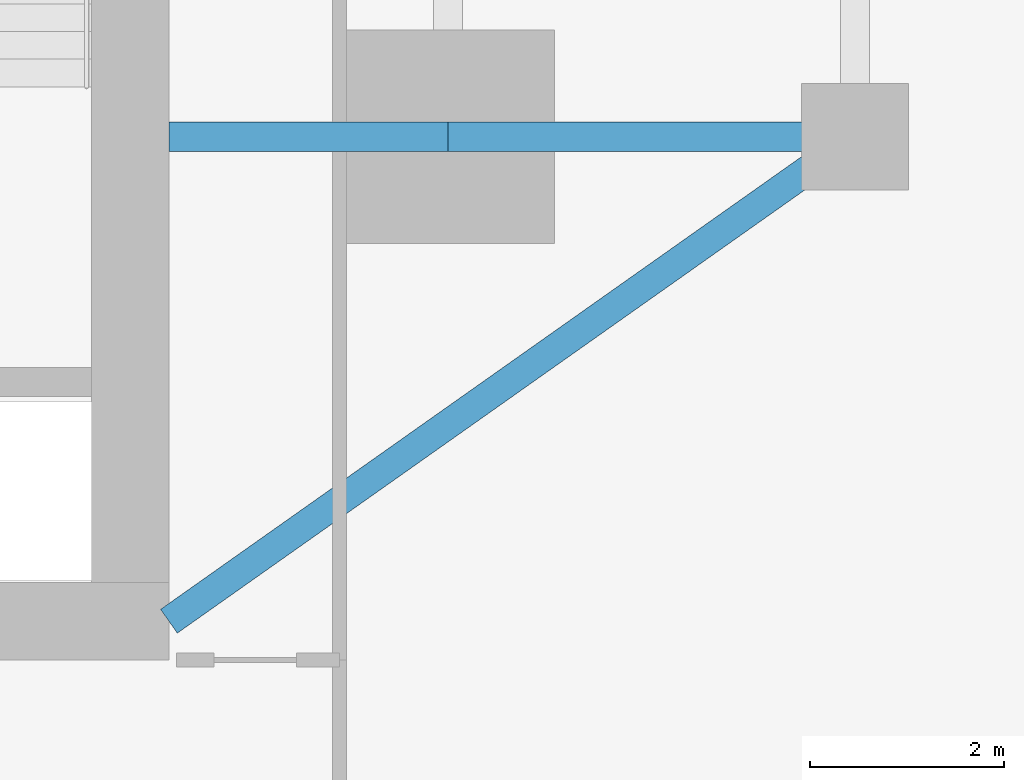
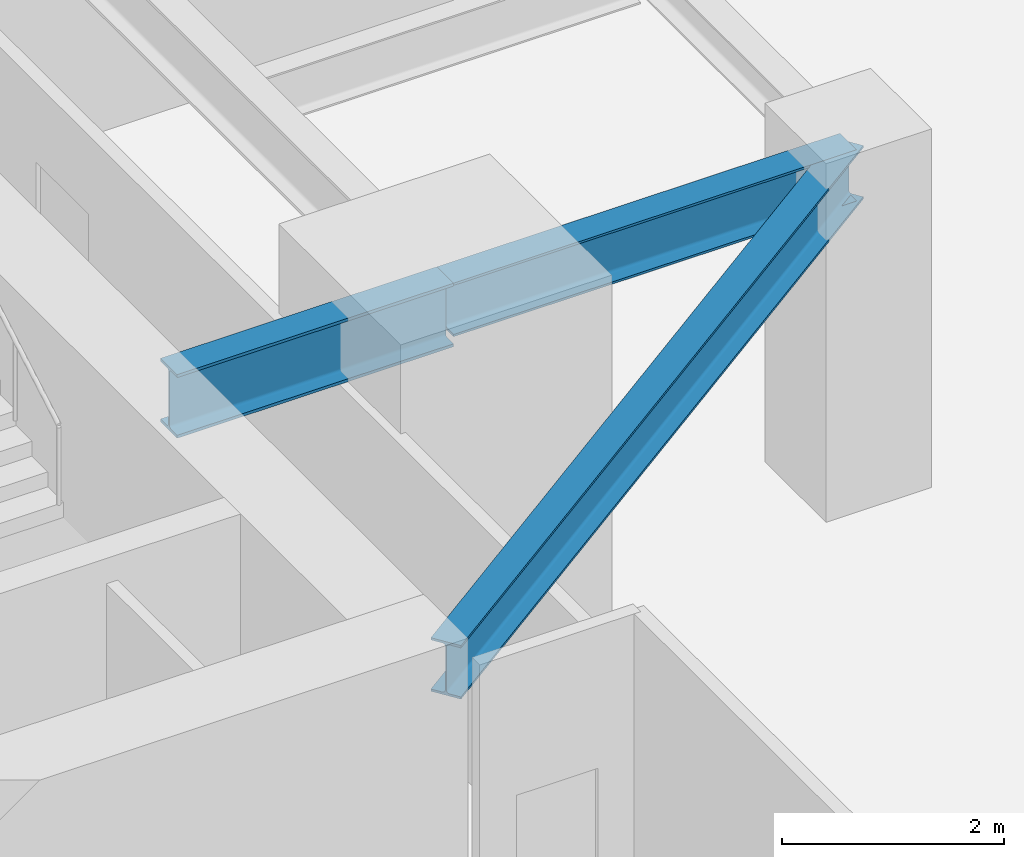
# One storey, part 11 of 28: 3 beams.
"""IFC4 building model written with IfcOpenShell, lengths in metres."""

from ifc_helpers import new_model, si_unit, direction, frame, origin, origin_2d, place, context, subcontext, project, spatial, i_section, extrude, source, transform, mapped, material, material_profile, profile_set, type_object, type_shapes, element, save


model = new_model("IFC4")

# Units and contexts
model_context = context("Model", 3, precision=1e-05, world=origin(), true_north=direction((0.0, 1.0)))
body_context = subcontext(model_context, "Body", "Model", "MODEL_VIEW")
ifc_project = project(units=[si_unit("LENGTHUNIT", "METRE"), si_unit("AREAUNIT", "SQUARE_METRE"), si_unit("VOLUMEUNIT", "CUBIC_METRE"), si_unit("PLANEANGLEUNIT", "RADIAN"), si_unit("MASSUNIT", "GRAM", prefix="KILO")], contexts=[model_context])

# Site, building, storey
site_placement = place(None, origin())
site = spatial("IfcSite", under=ifc_project, at=site_placement, CompositionType="ELEMENT")
building_placement = place(site_placement, origin())
building = spatial("IfcBuilding", under=site, at=building_placement, Name="Krantzveldt Concourse Tower", CompositionType="ELEMENT")
storey_placement = place(building_placement, frame((0.0, 0.0, 28.949951171875)))
storey = spatial("IfcBuildingStorey", under=building, at=storey_placement, Name="L06", CompositionType="ELEMENT", Elevation=28.949951171875)

# Beams
ifc_material_1 = material(Name="Steel S355J2", Category="steel")
ifc_material_profile_1 = material_profile(ifc_material_1, i_section(OverallWidth=0.300048828125, OverallDepth=0.699951171875, WebThickness=0.01708984375, FlangeThickness=0.031982421875, FilletRadius=0.027099609375, at=origin_2d()), Name="Steel S355J2", Category="steel")
ifc_profile_set_1 = profile_set([ifc_material_profile_1], Name="Steel S355J2 - HEB 700")
beam_type_1 = type_object("IfcBeamType", Name="BM-B-HEB700", PredefinedType="BEAM", material=ifc_profile_set_1)
shared_shape_1 = source(origin(), body_context, "Body", "SweptSolid", [
    extrude(i_section(OverallWidth=0.300048828125, OverallDepth=0.699951171875, WebThickness=0.01708984375, FlangeThickness=0.031982421875, FilletRadius=0.027099609375, at=origin_2d()), origin(), (0.0, 0.0, 1.0), 2.880126953125),
])
type_shapes(beam_type_1, [shared_shape_1])
beam_1_placement = place(storey_placement, frame((43.919921875, 15.89990234375, 3.320068359375), z_axis=(1.0, 0.0, 0.0), x_axis=(0.0, 1.0, 0.0)))
element("IfcBeam", 1, at=beam_1_placement, inside=storey, type_object=beam_type_1, Name="L06 Tower Girder BG-CE1", PredefinedType="BEAM", context=body_context, shape_type="MappedRepresentation", body=[
    mapped(shared_shape_1, transform((0.0, 0.0, 0.0), x_axis=(1.0, 0.0, 0.0), y_axis=(0.0, 1.0, 0.0), z_axis=(0.0, 0.0, 1.0), scale=1.0)),
])
ifc_material_2 = material(Name="Steel S355JR", Category="steel")
ifc_material_profile_2 = material_profile(ifc_material_2, i_section(OverallWidth=0.300048828125, OverallDepth=0.590087890625, WebThickness=0.012939453125, FlangeThickness=0.02490234375, FilletRadius=0.027099609375, at=origin_2d()), Name="Steel S355JR", Category="steel")
ifc_profile_set_2 = profile_set([ifc_material_profile_2], Name="Steel S355JR - HEA 600")
beam_type_2 = type_object("IfcBeamType", Name="BM-B-HEA600", PredefinedType="BEAM", material=ifc_profile_set_2)
shared_shape_2 = source(origin(), body_context, "Body", "SweptSolid", [
    extrude(i_section(OverallWidth=0.300048828125, OverallDepth=0.590087890625, WebThickness=0.012939453125, FlangeThickness=0.02490234375, FilletRadius=0.027099609375, at=origin_2d()), origin(), (0.0, 0.0, 1.0), 4.199951171875),
])
beam_2_placement = place(storey_placement, frame((46.800048828125, 15.89990234375, 3.375), z_axis=(1.0, 0.0, 0.0), x_axis=(0.0, 1.0, 0.0)))
element("IfcBeam", 2, at=beam_2_placement, inside=storey, type_object=beam_type_2, Name="L06 Tower Girder BR-RR1", PredefinedType="BEAM", context=body_context, shape_type="MappedRepresentation", body=[
    mapped(shared_shape_2, transform((0.0, 0.0, 0.0), x_axis=(1.0, 0.0, 0.0), y_axis=(0.0, 1.0, 0.0), z_axis=(0.0, 0.0, 1.0), scale=1.0)),
])
shared_shape_3 = source(origin(), body_context, "Body", "SweptSolid", [
    extrude(i_section(OverallWidth=0.300048828125, OverallDepth=0.590087890625, WebThickness=0.012939453125, FlangeThickness=0.02490234375, FilletRadius=0.027099609375, at=origin_2d()), origin(), (0.0, 0.0, 1.0), 8.667724609375),
])
type_shapes(beam_type_2, [shared_shape_2, shared_shape_3])
beam_3_placement = place(storey_placement, frame((51.0, 15.89990234375, 3.375), z_axis=(-0.81684294656, -0.576860122261, 0.0), x_axis=(0.576860122261, -0.81684294656, 0.0)))
element("IfcBeam", 3, at=beam_3_placement, inside=storey, type_object=beam_type_2, Name="L06 Tower Girder BR-CSE", PredefinedType="BEAM", context=body_context, shape_type="MappedRepresentation", body=[
    mapped(shared_shape_3, transform((0.0, 0.0, 0.0), x_axis=(1.0, 0.0, 0.0), y_axis=(0.0, 1.0, 0.0), z_axis=(0.0, 0.0, 1.0), scale=1.0)),
])

save(model, "model.ifc")
